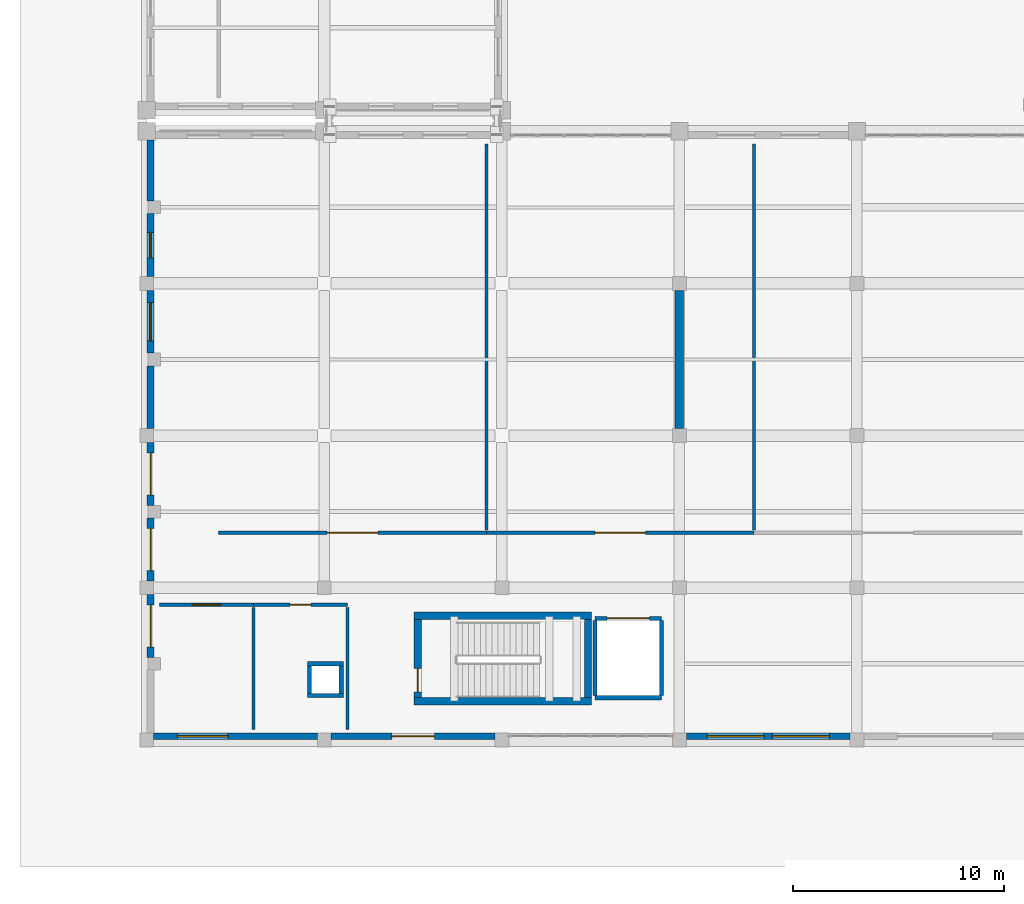
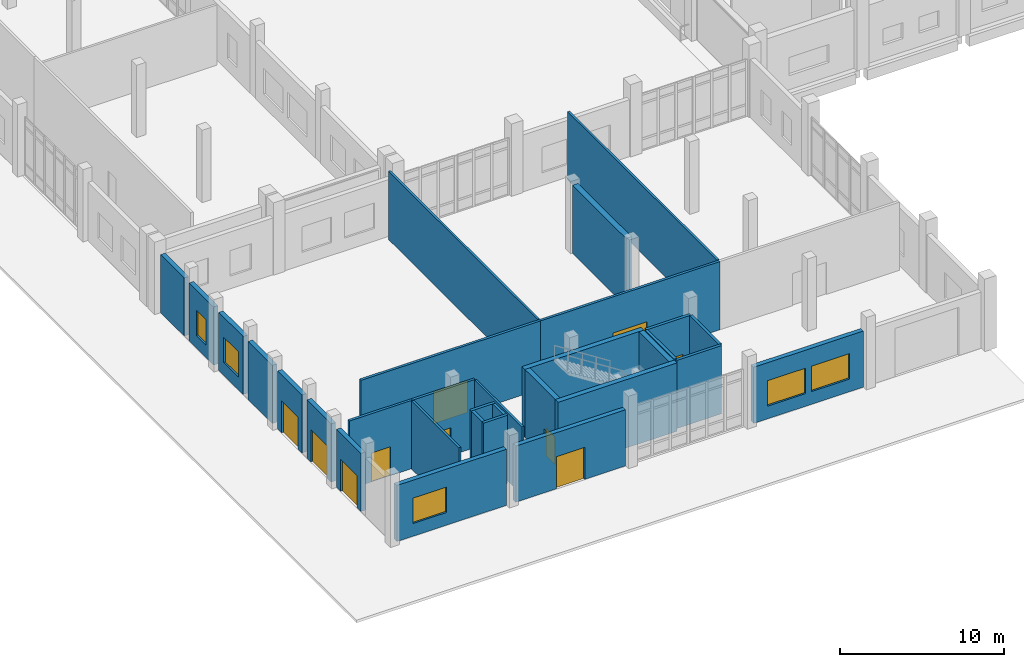
# One storey, part 50 of 79: 31 walls, 10 doors, 5 windows, 15 openings.
"""IFC4 building model written with IfcOpenShell, lengths in metres."""

from ifc_helpers import new_model, si_unit, direction, frame, frame_2d, origin, place, context, subcontext, project, spatial, rectangle, extrude, material, layer, layer_set, type_object, element, fill, save


model = new_model("IFC4")

# Units and contexts
model_context = context("Model", 3, precision=1e-05, world=origin(), true_north=direction((0.0, 1.0)))
body_context = subcontext(model_context, "Body", "Model", "MODEL_VIEW")
ifc_project = project(units=[si_unit("LENGTHUNIT", "METRE"), si_unit("AREAUNIT", "SQUARE_METRE"), si_unit("VOLUMEUNIT", "CUBIC_METRE"), si_unit("PLANEANGLEUNIT", "RADIAN"), si_unit("MASSUNIT", "GRAM", prefix="KILO")], contexts=[model_context])

# Site, building, storey
site_placement = place(None, origin())
site = spatial("IfcSite", under=ifc_project, at=site_placement, CompositionType="ELEMENT")
building_placement = place(site_placement, origin())
building = spatial("IfcBuilding", under=site, at=building_placement, Name="Kelarvand Opera House", CompositionType="ELEMENT")
storey_placement = place(building_placement, origin())
storey = spatial("IfcBuildingStorey", under=building, at=storey_placement, Name="L00", CompositionType="ELEMENT", Elevation=0.0)

# Walls
ifc_material_1 = material(Name="Acoustic double-stud gypsum partition")
ifc_layer_1 = layer(ifc_material_1, 0.14990234375, Name="Acoustic double-stud gypsum partition")
ifc_layer_set_1 = layer_set([ifc_layer_1], Name="Acoustic double-stud gypsum partition")
wall_type_1 = type_object("IfcWallType", Name="Acoustic Room Partition Wall 150", PredefinedType="PARTITIONING", material=ifc_layer_set_1)
for number, where, z_axis, x_axis, name in (
    (1, (25.06689453125, 18.93994140625, 0.0), (0.0, 0.0, 1.0), (0.0, 1.0, 0.0), "V4 L00 Partition Wall IW-150 (288)"),
    (2, (37.73291015625, 18.93994140625, 0.0), (0.0, 0.0, 1.0), (0.0, 1.0, 0.0), "V4 L00 Partition Wall IW-150 (290)"),
):
    element("IfcWall", number, at=place(storey_placement, frame(where, z_axis=z_axis, x_axis=x_axis)), inside=storey, type_object=wall_type_1, Name=name, PredefinedType="PARTITIONING", context=body_context, shape_type="SweptSolid", body=[
        extrude(rectangle(XDim=18.260009765625, YDim=0.14990234375, at=frame_2d((9.1298828125, 0.0))), origin(), (0.0, 0.0, 1.0), 5.092041015625),
    ])
for number, where, z_axis, x_axis, name in (
    (3, (14.050048828125, 9.5, 0.0), (0.0, 0.0, 1.0), (0.0, 1.0, 0.0), "V4 L00 Partition Wall IW-150 (293)"),
    (4, (18.5, 9.5, 0.0), (0.0, 0.0, 1.0), (0.0, 1.0, 0.0), "V4 L00 Partition Wall IW-150 (294)"),
):
    element("IfcWall", number, at=place(storey_placement, frame(where, z_axis=z_axis, x_axis=x_axis)), inside=storey, type_object=wall_type_1, Name=name, PredefinedType="PARTITIONING", context=body_context, shape_type="SweptSolid", body=[
        extrude(rectangle(XDim=5.760009765625, YDim=0.14990234375, at=frame_2d((2.8798828125, 0.0))), origin(), (0.0, 0.0, 1.0), 5.092041015625),
    ])
ifc_material_2 = material(Name="Concrete C40/50", Category="concrete")
ifc_layer_2 = layer(ifc_material_2, 0.35009765625, Name="Concrete C40/50", Category="concrete")
ifc_layer_set_2 = layer_set([ifc_layer_2], Name="Concrete C40/50")
wall_type_2 = type_object("IfcWallType", Name="Core Stair and Lift Shear Wall 350", PredefinedType="SHEAR", material=ifc_layer_set_2)
for number, where, z_axis, x_axis, name in (
    (5, (21.64990234375, 10.824951171875, 0.0), (0.0, 0.0, 1.0), (1.0, 0.0, 0.0), "C6 Stair Core Shear Wall S L00"),
    (6, (30.050048828125, 14.875, 0.0), (0.0, 0.0, 1.0), (-1.0, 0.0, 0.0), "C6 Stair Core Shear Wall N L00"),
):
    element("IfcWall", number, at=place(storey_placement, frame(where, z_axis=z_axis, x_axis=x_axis)), inside=storey, type_object=wall_type_2, Name=name, PredefinedType="SHEAR", context=body_context, shape_type="SweptSolid", body=[
        extrude(rectangle(XDim=8.400146484375, YDim=0.35009765625, at=frame_2d((4.2001953125, 0.0))), origin(), (0.0, 0.0, 1.0), 5.10009765625),
    ])

# Wall, opening, door
wall_1_placement = place(storey_placement, frame((21.824951171875, 11.0, 0.0), z_axis=(0.0, 0.0, 1.0), x_axis=(0.0, 1.0, 0.0)))
wall_1 = element("IfcWall", 7, at=wall_1_placement, inside=storey, type_object=wall_type_2, Name="C6 Stair Core Shear Wall W L00", PredefinedType="SHEAR", context=body_context, shape_type="SweptSolid", body=[
    extrude(rectangle(XDim=3.699951171875, YDim=0.35009765625, at=frame_2d((1.85009765625, 0.0))), origin(), (0.0, 0.0, 1.0), 5.10009765625),
])
opening_1_placement = place(wall_1_placement, frame((0.280029296875, 0.0, 0.0)))
opening_1 = element("IfcOpeningElement", 8, at=opening_1_placement, cuts=wall_1, Name="Opening FD-01", PredefinedType="OPENING", context=body_context, shape_type="SweptSolid", body=[
    extrude(rectangle(XDim=1.10009765625, YDim=2.080078125, at=frame_2d((0.550048828125, 1.0400390625))), frame((0.0, 0.18505859375, 0.0), z_axis=(0.0, -1.0, 0.0), x_axis=(1.0, 0.0, 0.0)), (0.0, 0.0, 1.0), 0.3701171875),
])
ifc_material_3 = material(Name="Fire-rated brushed stainless steel", Category="steel")
door_type_1 = type_object("IfcDoorType", Name="Steel Fire-Rated Stair and FF Lobby Door 1100x2080", OperationType="NOTDEFINED", PredefinedType="DOOR", material=ifc_material_3)
door_1_placement = place(opening_1_placement, origin())
door_1 = element("IfcDoor", 9, at=door_1_placement, inside=storey, type_object=door_type_1, Name="C6 Stair ST-06 Fire Door L00", OperationType="SINGLE_SWING_RIGHT", OverallHeight=2.080078125, OverallWidth=1.10009765625, PredefinedType="DOOR", context=body_context, shape_type="SweptSolid", body=[
    extrude(rectangle(XDim=1.10009765625, YDim=2.080078125, at=frame_2d((0.550048828125, 1.0400390625))), frame((0.0, 0.02490234375, 0.0), z_axis=(0.0, -1.0, 0.0), x_axis=(1.0, 0.0, 0.0)), (0.0, 0.0, 1.0), 0.050048828125),
])
fill(opening_1, door_1)

# Wall
wall_2_placement = place(storey_placement, frame((29.875, 14.699951171875, 0.0), z_axis=(0.0, 0.0, 1.0), x_axis=(0.0, -1.0, 0.0)))
element("IfcWall", 10, at=wall_2_placement, inside=storey, type_object=wall_type_2, Name="C6 Stair Core Shear Wall E L00", PredefinedType="SHEAR", context=body_context, shape_type="SweptSolid", body=[
    extrude(rectangle(XDim=3.699951171875, YDim=0.35009765625, at=frame_2d((1.85009765625, 0.0))), origin(), (0.0, 0.0, 1.0), 5.10009765625),
])

# Wall, opening, door
ifc_material_4 = material(Name="Concrete C35/45", Category="concrete")
ifc_layer_3 = layer(ifc_material_4, 0.179931640625, Name="Concrete C35/45", Category="concrete")
ifc_layer_set_3 = layer_set([ifc_layer_3], Name="Concrete C35/45")
wall_type_3 = type_object("IfcWallType", Name="Corridor Fire-Rated Partition Wall 180 EI90", PredefinedType="PARTITIONING", material=ifc_layer_set_3)
wall_3_placement = place(storey_placement, frame((12.39990234375, 18.800048828125, 0.0), z_axis=(0.0, 0.0, 1.0), x_axis=(1.0, 0.0, 0.0)))
wall_3 = element("IfcWall", 11, at=wall_3_placement, inside=storey, type_object=wall_type_3, Name="V4 L00 Partition Wall IW-90 (287)", PredefinedType="PARTITIONING", context=body_context, shape_type="SweptSolid", body=[
    extrude(rectangle(XDim=12.6669921875, YDim=0.179931640625, at=frame_2d((6.33349609375, 0.0))), origin(), (0.0, 0.0, 1.0), 5.092041015625),
])
opening_2_placement = place(wall_3_placement, frame((5.133056640625, 0.0, 0.0)))
opening_2 = element("IfcOpeningElement", 12, at=opening_2_placement, cuts=wall_3, Name="Opening D-05", PredefinedType="OPENING", context=body_context, shape_type="SweptSolid", body=[
    extrude(rectangle(XDim=2.39990234375, YDim=2.39990234375, at=frame_2d((1.199951171875, 1.199951171875))), frame((0.0, 0.10009765625, 0.0), z_axis=(0.0, -1.0, 0.0), x_axis=(1.0, 0.0, 0.0)), (0.0, 0.0, 1.0), 0.199951171875),
])
ifc_material_5 = material(Name="Acoustic walnut-veneered hardwood", Category="wood")
door_type_2 = type_object("IfcDoorType", Name="Stage Acoustic Scenery Double Door 2400x2400", OperationType="NOTDEFINED", PredefinedType="DOOR", material=ifc_material_5)
door_2_placement = place(opening_2_placement, origin())
door_2 = element("IfcDoor", 13, at=door_2_placement, inside=storey, type_object=door_type_2, Name="V4 L00 Door D-05 (124)", OperationType="DOUBLE_DOOR_SINGLE_SWING", OverallHeight=2.39990234375, OverallWidth=2.39990234375, PredefinedType="DOOR", context=body_context, shape_type="SweptSolid", body=[
    extrude(rectangle(XDim=2.39990234375, YDim=2.39990234375, at=frame_2d((1.199951171875, 1.199951171875))), frame((0.0, 0.02490234375, 0.0), z_axis=(0.0, -1.0, 0.0), x_axis=(1.0, 0.0, 0.0)), (0.0, 0.0, 1.0), 0.050048828125),
])
fill(opening_2, door_2)

wall_4_placement = place(storey_placement, frame((25.06689453125, 18.800048828125, 0.0), z_axis=(0.0, 0.0, 1.0), x_axis=(1.0, 0.0, 0.0)))
wall_4 = element("IfcWall", 14, at=wall_4_placement, inside=storey, type_object=wall_type_3, Name="V4 L00 Partition Wall IW-90 (289)", PredefinedType="PARTITIONING", context=body_context, shape_type="SweptSolid", body=[
    extrude(rectangle(XDim=12.666015625, YDim=0.179931640625, at=frame_2d((6.3330078125, 0.0))), origin(), (0.0, 0.0, 1.0), 5.092041015625),
])
opening_3_placement = place(wall_4_placement, frame((5.133056640625, 0.0, 0.0)))
opening_3 = element("IfcOpeningElement", 15, at=opening_3_placement, cuts=wall_4, Name="Opening D-05", PredefinedType="OPENING", context=body_context, shape_type="SweptSolid", body=[
    extrude(rectangle(XDim=2.39990234375, YDim=2.39990234375, at=frame_2d((1.199951171875, 1.199951171875))), frame((0.0, 0.10009765625, 0.0), z_axis=(0.0, -1.0, 0.0), x_axis=(1.0, 0.0, 0.0)), (0.0, 0.0, 1.0), 0.199951171875),
])
door_3_placement = place(opening_3_placement, origin())
door_3 = element("IfcDoor", 16, at=door_3_placement, inside=storey, type_object=door_type_2, Name="V4 L00 Door D-05 (125)", OperationType="DOUBLE_DOOR_SINGLE_SWING", OverallHeight=2.39990234375, OverallWidth=2.39990234375, PredefinedType="DOOR", context=body_context, shape_type="SweptSolid", body=[
    extrude(rectangle(XDim=2.39990234375, YDim=2.39990234375, at=frame_2d((1.199951171875, 1.199951171875))), frame((0.0, 0.02490234375, 0.0), z_axis=(0.0, -1.0, 0.0), x_axis=(1.0, 0.0, 0.0)), (0.0, 0.0, 1.0), 0.050048828125),
])
fill(opening_3, door_3)

wall_5_placement = place(storey_placement, frame((9.60009765625, 15.39990234375, 0.0), z_axis=(0.0, 0.0, 1.0), x_axis=(1.0, 0.0, 0.0)))
wall_5 = element("IfcWall", 17, at=wall_5_placement, inside=storey, type_object=wall_type_3, Name="V4 L00 Partition Wall IW-90 (292)", PredefinedType="PARTITIONING", context=body_context, shape_type="SweptSolid", body=[
    extrude(rectangle(XDim=4.449951171875, YDim=0.179931640625, at=frame_2d((2.22509765625, 0.0))), origin(), (0.0, 0.0, 1.0), 5.092041015625),
])
opening_4_placement = place(wall_5_placement, frame((1.550048828125, 0.0, 0.0)))
opening_4 = element("IfcOpeningElement", 18, at=opening_4_placement, cuts=wall_5, Name="Opening D-12", PredefinedType="OPENING", context=body_context, shape_type="SweptSolid", body=[
    extrude(rectangle(XDim=1.35009765625, YDim=2.159912109375, at=frame_2d((0.675048828125, 1.080078125))), frame((0.0, 0.10009765625, 0.0), z_axis=(0.0, -1.0, 0.0), x_axis=(1.0, 0.0, 0.0)), (0.0, 0.0, 1.0), 0.199951171875),
])
door_type_3 = type_object("IfcDoorType", Name="Wardrobe Studio Leaf-and-Half Door 1350x2160", OperationType="NOTDEFINED", PredefinedType="DOOR", material=ifc_material_5)
door_4_placement = place(opening_4_placement, origin())
door_4 = element("IfcDoor", 19, at=door_4_placement, inside=storey, type_object=door_type_3, Name="V4 L00 Door D-12 (127)", OperationType="SINGLE_SWING_RIGHT", OverallHeight=2.159912109375, OverallWidth=1.35009765625, PredefinedType="DOOR", context=body_context, shape_type="SweptSolid", body=[
    extrude(rectangle(XDim=1.35009765625, YDim=2.159912109375, at=frame_2d((0.675048828125, 1.080078125))), frame((0.0, 0.02490234375, 0.0), z_axis=(0.0, -1.0, 0.0), x_axis=(1.0, 0.0, 0.0)), (0.0, 0.0, 1.0), 0.050048828125),
])
fill(opening_4, door_4)

wall_6_placement = place(storey_placement, frame((14.050048828125, 15.39990234375, 0.0), z_axis=(0.0, 0.0, 1.0), x_axis=(1.0, 0.0, 0.0)))
wall_6 = element("IfcWall", 20, at=wall_6_placement, inside=storey, type_object=wall_type_3, Name="V4 L00 Partition Wall IW-90 (295)", PredefinedType="PARTITIONING", context=body_context, shape_type="SweptSolid", body=[
    extrude(rectangle(XDim=4.449951171875, YDim=0.179931640625, at=frame_2d((2.22509765625, 0.0))), origin(), (0.0, 0.0, 1.0), 5.092041015625),
])
opening_5_placement = place(wall_6_placement, frame((1.735107421875, 0.0, 0.0)))
opening_5 = element("IfcOpeningElement", 21, at=opening_5_placement, cuts=wall_6, Name="Opening D-09", PredefinedType="OPENING", context=body_context, shape_type="SweptSolid", body=[
    extrude(rectangle(XDim=0.97998046875, YDim=2.080078125, at=frame_2d((0.489990234375, 1.0400390625))), frame((0.0, 0.10009765625, 0.0), z_axis=(0.0, -1.0, 0.0), x_axis=(1.0, 0.0, 0.0)), (0.0, 0.0, 1.0), 0.199951171875),
])
door_type_4 = type_object("IfcDoorType", Name="Soloist Acoustic Timber Door 980x2080", OperationType="NOTDEFINED", PredefinedType="DOOR", material=ifc_material_5)
door_5_placement = place(opening_5_placement, origin())
door_5 = element("IfcDoor", 22, at=door_5_placement, inside=storey, type_object=door_type_4, Name="V4 L00 Door D-09 (128)", OperationType="SINGLE_SWING_LEFT", OverallHeight=2.080078125, OverallWidth=0.97998046875, PredefinedType="DOOR", context=body_context, shape_type="SweptSolid", body=[
    extrude(rectangle(XDim=0.97998046875, YDim=2.080078125, at=frame_2d((0.489990234375, 1.0400390625))), frame((0.0, 0.02490234375, 0.0), z_axis=(0.0, -1.0, 0.0), x_axis=(1.0, 0.0, 0.0)), (0.0, 0.0, 1.0), 0.050048828125),
])
fill(opening_5, door_5)

ifc_layer_4 = layer(ifc_material_4, 0.320068359375, Name="Concrete C35/45", Category="concrete")
ifc_layer_set_4 = layer_set([ifc_layer_4], Name="Concrete C35/45")
wall_type_4 = type_object("IfcWallType", Name="Insulated Buff Brick Cavity Wall 320", PredefinedType="SOLIDWALL", material=ifc_layer_set_4)
wall_7_placement = place(storey_placement, frame((9.179931640625, 12.89990234375, 0.0), z_axis=(0.0, 0.0, 1.0), x_axis=(0.0, 1.0, 0.0)))
wall_7 = element("IfcWall", 23, at=wall_7_placement, inside=storey, type_object=wall_type_4, Name="V4 L00 Exterior Wall EW-320 (503)", PredefinedType="SOLIDWALL", context=body_context, shape_type="SweptSolid", body=[
    extrude(rectangle(XDim=2.97509765625, YDim=0.320068359375, at=frame_2d((1.487548828125, 0.0))), origin(), (0.0, 0.0, 1.0), 4.342041015625),
])
opening_6_placement = place(wall_7_placement, frame((0.487060546875, 0.0, 0.0)))
opening_6 = element("IfcOpeningElement", 24, at=opening_6_placement, cuts=wall_7, Name="Opening EX-200", PredefinedType="OPENING", context=body_context, shape_type="SweptSolid", body=[
    extrude(rectangle(XDim=2.0, YDim=2.39990234375, at=frame_2d((1.0, 1.199951171875))), frame((0.0, 0.169921875, 0.0), z_axis=(0.0, -1.0, 0.0), x_axis=(1.0, 0.0, 0.0)), (0.0, 0.0, 1.0), 0.340087890625),
])
ifc_material_6 = material(Name="Thermally broken bronze-anodised aluminium and safety glass", Category="aluminium")
door_type_5 = type_object("IfcDoorType", Name="Protected Stair Double Final Exit Door 2000x2400", OperationType="NOTDEFINED", PredefinedType="DOOR", material=ifc_material_6)
door_6_placement = place(opening_6_placement, origin())
door_6 = element("IfcDoor", 25, at=door_6_placement, inside=storey, type_object=door_type_5, Name="V4 Ground Final Exit Door E14", OperationType="DOUBLE_DOOR_SINGLE_SWING", OverallHeight=2.39990234375, OverallWidth=2.0, PredefinedType="DOOR", context=body_context, shape_type="SweptSolid", body=[
    extrude(rectangle(XDim=2.0, YDim=2.39990234375, at=frame_2d((1.0, 1.199951171875))), frame((0.0, 0.02490234375, 0.0), z_axis=(0.0, -1.0, 0.0), x_axis=(1.0, 0.0, 0.0)), (0.0, 0.0, 1.0), 0.050048828125),
])
fill(opening_6, door_6)

wall_8_placement = place(storey_placement, frame((9.179931640625, 16.52490234375, 0.0), z_axis=(0.0, 0.0, 1.0), x_axis=(0.0, 1.0, 0.0)))
wall_8 = element("IfcWall", 26, at=wall_8_placement, inside=storey, type_object=wall_type_4, Name="V4 L00 Exterior Wall EW-320 (504)", PredefinedType="SOLIDWALL", context=body_context, shape_type="SweptSolid", body=[
    extrude(rectangle(XDim=2.97509765625, YDim=0.320068359375, at=frame_2d((1.487548828125, 0.0))), origin(), (0.0, 0.0, 1.0), 4.342041015625),
])
opening_7_placement = place(wall_8_placement, frame((0.488037109375, 0.0, 0.0)))
opening_7 = element("IfcOpeningElement", 27, at=opening_7_placement, cuts=wall_8, Name="Opening EX-200", PredefinedType="OPENING", context=body_context, shape_type="SweptSolid", body=[
    extrude(rectangle(XDim=2.0, YDim=2.39990234375, at=frame_2d((1.0, 1.199951171875))), frame((0.0, 0.169921875, 0.0), z_axis=(0.0, -1.0, 0.0), x_axis=(1.0, 0.0, 0.0)), (0.0, 0.0, 1.0), 0.340087890625),
])
door_7_placement = place(opening_7_placement, origin())
door_7 = element("IfcDoor", 28, at=door_7_placement, inside=storey, type_object=door_type_5, Name="V4 Ground Final Exit Door E12", OperationType="DOUBLE_DOOR_SINGLE_SWING", OverallHeight=2.39990234375, OverallWidth=2.0, PredefinedType="DOOR", context=body_context, shape_type="SweptSolid", body=[
    extrude(rectangle(XDim=2.0, YDim=2.39990234375, at=frame_2d((1.0, 1.199951171875))), frame((0.0, 0.02490234375, 0.0), z_axis=(0.0, -1.0, 0.0), x_axis=(1.0, 0.0, 0.0)), (0.0, 0.0, 1.0), 0.050048828125),
])
fill(opening_7, door_7)

wall_9_placement = place(storey_placement, frame((9.179931640625, 20.10009765625, 0.0), z_axis=(0.0, 0.0, 1.0), x_axis=(0.0, 1.0, 0.0)))
wall_9 = element("IfcWall", 29, at=wall_9_placement, inside=storey, type_object=wall_type_4, Name="V4 L00 Exterior Wall EW-320 (505)", PredefinedType="SOLIDWALL", context=body_context, shape_type="SweptSolid", body=[
    extrude(rectangle(XDim=2.974853515625, YDim=0.320068359375, at=frame_2d((1.4873046875, 0.0))), origin(), (0.0, 0.0, 1.0), 4.342041015625),
])
opening_8_placement = place(wall_9_placement, frame((0.487060546875, 0.0, 0.0)))
opening_8 = element("IfcOpeningElement", 30, at=opening_8_placement, cuts=wall_9, Name="Opening EX-200", PredefinedType="OPENING", context=body_context, shape_type="SweptSolid", body=[
    extrude(rectangle(XDim=2.0, YDim=2.39990234375, at=frame_2d((1.0, 1.199951171875))), frame((0.0, 0.169921875, 0.0), z_axis=(0.0, -1.0, 0.0), x_axis=(1.0, 0.0, 0.0)), (0.0, 0.0, 1.0), 0.340087890625),
])
door_8_placement = place(opening_8_placement, origin())
door_8 = element("IfcDoor", 31, at=door_8_placement, inside=storey, type_object=door_type_5, Name="V4 Ground Final Exit Door E16", OperationType="DOUBLE_DOOR_SINGLE_SWING", OverallHeight=2.39990234375, OverallWidth=2.0, PredefinedType="DOOR", context=body_context, shape_type="SweptSolid", body=[
    extrude(rectangle(XDim=2.0, YDim=2.39990234375, at=frame_2d((1.0, 1.199951171875))), frame((0.0, 0.02490234375, 0.0), z_axis=(0.0, -1.0, 0.0), x_axis=(1.0, 0.0, 0.0)), (0.0, 0.0, 1.0), 0.050048828125),
])
fill(opening_8, door_8)

# Wall
wall_10_placement = place(storey_placement, frame((9.179931640625, 23.72509765625, 0.0), z_axis=(0.0, 0.0, 1.0), x_axis=(0.0, 1.0, 0.0)))
element("IfcWall", 32, at=wall_10_placement, inside=storey, type_object=wall_type_4, Name="V4 L00 Exterior Wall EW-320 (506)", PredefinedType="SOLIDWALL", context=body_context, shape_type="SweptSolid", body=[
    extrude(rectangle(XDim=2.974853515625, YDim=0.320068359375, at=frame_2d((1.4873046875, 0.0))), origin(), (0.0, 0.0, 1.0), 4.342041015625),
])

# Wall, opening, window
wall_11_placement = place(storey_placement, frame((9.179931640625, 27.300048828125, 0.0), z_axis=(0.0, 0.0, 1.0), x_axis=(0.0, 1.0, 0.0)))
wall_11 = element("IfcWall", 33, at=wall_11_placement, inside=storey, type_object=wall_type_4, Name="V4 L00 Exterior Wall EW-320 (507)", PredefinedType="SOLIDWALL", context=body_context, shape_type="SweptSolid", body=[
    extrude(rectangle(XDim=2.974853515625, YDim=0.320068359375, at=frame_2d((1.4873046875, 0.0))), origin(), (0.0, 0.0, 1.0), 4.342041015625),
])
opening_9_placement = place(wall_11_placement, frame((0.5869140625, 0.0, 0.949951171875)))
opening_9 = element("IfcOpeningElement", 34, at=opening_9_placement, cuts=wall_11, Name="Opening WN-12", PredefinedType="OPENING", context=body_context, shape_type="SweptSolid", body=[
    extrude(rectangle(XDim=1.800048828125, YDim=1.89990234375, at=frame_2d((0.89990234375, 0.949951171875))), frame((0.0, 0.169921875, 0.0), z_axis=(0.0, -1.0, 0.0), x_axis=(1.0, 0.0, 0.0)), (0.0, 0.0, 1.0), 0.340087890625),
])
ifc_material_7 = material(Name="Thermally broken aluminium and low-E double glazing", Category="aluminium")
window_type_1 = type_object("IfcWindowType", Name="Recessed Aluminium Thermal Window 1800x1900 WN-12", PartitioningType="SINGLE_PANEL", PredefinedType="WINDOW", material=ifc_material_7)
window_1_placement = place(opening_9_placement, origin())
window_1 = element("IfcWindow", 35, at=window_1_placement, inside=storey, type_object=window_type_1, Name="V4 L00 Facade Window WN-12 (203)", OverallHeight=1.89990234375, OverallWidth=1.800048828125, PartitioningType="SINGLE_PANEL", PredefinedType="WINDOW", context=body_context, shape_type="SweptSolid", body=[
    extrude(rectangle(XDim=1.800048828125, YDim=1.89990234375, at=frame_2d((0.89990234375, 0.949951171875))), frame((0.0, 0.030029296875, 0.0), z_axis=(0.0, -1.0, 0.0), x_axis=(1.0, 0.0, 0.0)), (0.0, 0.0, 1.0), 0.06005859375),
])
fill(opening_9, window_1)

wall_12_placement = place(storey_placement, frame((9.179931640625, 30.925048828125, 0.0), z_axis=(0.0, 0.0, 1.0), x_axis=(0.0, 1.0, 0.0)))
wall_12 = element("IfcWall", 36, at=wall_12_placement, inside=storey, type_object=wall_type_4, Name="V4 L00 Exterior Wall EW-320 (508)", PredefinedType="SOLIDWALL", context=body_context, shape_type="SweptSolid", body=[
    extrude(rectangle(XDim=2.974853515625, YDim=0.320068359375, at=frame_2d((1.4873046875, 0.0))), origin(), (0.0, 0.0, 1.0), 4.342041015625),
])
opening_10_placement = place(wall_12_placement, frame((0.886962890625, 0.0, 0.949951171875)))
opening_10 = element("IfcOpeningElement", 37, at=opening_10_placement, cuts=wall_12, Name="Opening WN-10", PredefinedType="OPENING", context=body_context, shape_type="SweptSolid", body=[
    extrude(rectangle(XDim=1.199951171875, YDim=1.89990234375, at=frame_2d((0.60009765625, 0.949951171875))), frame((0.0, 0.169921875, 0.0), z_axis=(0.0, -1.0, 0.0), x_axis=(1.0, 0.0, 0.0)), (0.0, 0.0, 1.0), 0.340087890625),
])
window_type_2 = type_object("IfcWindowType", Name="Recessed Aluminium Thermal Window 1200x1900 WN-10", PartitioningType="SINGLE_PANEL", PredefinedType="WINDOW", material=ifc_material_7)
window_2_placement = place(opening_10_placement, origin())
window_2 = element("IfcWindow", 38, at=window_2_placement, inside=storey, type_object=window_type_2, Name="V4 L00 Facade Window WN-10 (204)", OverallHeight=1.89990234375, OverallWidth=1.199951171875, PartitioningType="SINGLE_PANEL", PredefinedType="WINDOW", context=body_context, shape_type="SweptSolid", body=[
    extrude(rectangle(XDim=1.199951171875, YDim=1.89990234375, at=frame_2d((0.60009765625, 0.949951171875))), frame((0.0, 0.030029296875, 0.0), z_axis=(0.0, -1.0, 0.0), x_axis=(1.0, 0.0, 0.0)), (0.0, 0.0, 1.0), 0.06005859375),
])
fill(opening_10, window_2)

# Wall
wall_13_placement = place(storey_placement, frame((9.179931640625, 34.5, 0.0), z_axis=(0.0, 0.0, 1.0), x_axis=(0.0, 1.0, 0.0)))
element("IfcWall", 39, at=wall_13_placement, inside=storey, type_object=wall_type_4, Name="V4 L00 Exterior Wall EW-320 (509)", PredefinedType="SOLIDWALL", context=body_context, shape_type="SweptSolid", body=[
    extrude(rectangle(XDim=2.889892578125, YDim=0.320068359375, at=frame_2d((1.44482421875, 0.0))), origin(), (0.0, 0.0, 1.0), 4.342041015625),
])

# Wall, openings, windows
wall_14_placement = place(storey_placement, frame((42.27490234375, 9.179931640625, 0.0), z_axis=(0.0, 0.0, 1.0), x_axis=(-1.0, 0.0, 0.0)))
wall_14 = element("IfcWall", 40, at=wall_14_placement, inside=storey, type_object=wall_type_4, Name="V4 L00 Exterior Wall EW-320 (517)", PredefinedType="SOLIDWALL", context=body_context, shape_type="SweptSolid", body=[
    extrude(rectangle(XDim=7.75, YDim=0.320068359375, at=frame_2d((3.875, 0.0))), origin(), (0.0, 0.0, 1.0), 4.19189453125),
])
opening_11_placement = place(wall_14_placement, frame((0.97509765625, 0.0, 0.949951171875)))
opening_11 = element("IfcOpeningElement", 41, at=opening_11_placement, cuts=wall_14, Name="Opening WN-15", PredefinedType="OPENING", context=body_context, shape_type="SweptSolid", body=[
    extrude(rectangle(XDim=2.699951171875, YDim=1.89990234375, at=frame_2d((1.35009765625, 0.949951171875))), frame((0.0, 0.169921875, 0.0), z_axis=(0.0, -1.0, 0.0), x_axis=(1.0, 0.0, 0.0)), (0.0, 0.0, 1.0), 0.340087890625),
])
opening_12_placement = place(wall_14_placement, frame((4.074951171875, 0.0, 0.949951171875)))
opening_12 = element("IfcOpeningElement", 42, at=opening_12_placement, cuts=wall_14, Name="Opening WN-15", PredefinedType="OPENING", context=body_context, shape_type="SweptSolid", body=[
    extrude(rectangle(XDim=2.699951171875, YDim=1.89990234375, at=frame_2d((1.35009765625, 0.949951171875))), frame((0.0, 0.169921875, 0.0), z_axis=(0.0, -1.0, 0.0), x_axis=(1.0, 0.0, 0.0)), (0.0, 0.0, 1.0), 0.340087890625),
])
window_type_3 = type_object("IfcWindowType", Name="Recessed Aluminium Thermal Window 2700x1900 WN-15", PartitioningType="SINGLE_PANEL", PredefinedType="WINDOW", material=ifc_material_7)
window_3_placement = place(opening_11_placement, origin())
window_3 = element("IfcWindow", 43, at=window_3_placement, inside=storey, type_object=window_type_3, Name="V4 L00 Facade Window WN-15 (215)", OverallHeight=1.89990234375, OverallWidth=2.699951171875, PartitioningType="SINGLE_PANEL", PredefinedType="WINDOW", context=body_context, shape_type="SweptSolid", body=[
    extrude(rectangle(XDim=2.699951171875, YDim=1.89990234375, at=frame_2d((1.35009765625, 0.949951171875))), frame((0.0, 0.030029296875, 0.0), z_axis=(0.0, -1.0, 0.0), x_axis=(1.0, 0.0, 0.0)), (0.0, 0.0, 1.0), 0.06005859375),
])
fill(opening_11, window_3)
window_4_placement = place(opening_12_placement, origin())
window_4 = element("IfcWindow", 44, at=window_4_placement, inside=storey, type_object=window_type_3, Name="V4 L00 Facade Window WN-15 (216)", OverallHeight=1.89990234375, OverallWidth=2.699951171875, PartitioningType="SINGLE_PANEL", PredefinedType="WINDOW", context=body_context, shape_type="SweptSolid", body=[
    extrude(rectangle(XDim=2.699951171875, YDim=1.89990234375, at=frame_2d((1.35009765625, 0.949951171875))), frame((0.0, 0.030029296875, 0.0), z_axis=(0.0, -1.0, 0.0), x_axis=(1.0, 0.0, 0.0)), (0.0, 0.0, 1.0), 0.06005859375),
])
fill(opening_12, window_4)

# Wall, opening, door
wall_15_placement = place(storey_placement, frame((25.47509765625, 9.179931640625, 0.0), z_axis=(0.0, 0.0, 1.0), x_axis=(-1.0, 0.0, 0.0)))
wall_15 = element("IfcWall", 45, at=wall_15_placement, inside=storey, type_object=wall_type_4, Name="V4 L00 Exterior Wall EW-320 (518)", PredefinedType="SOLIDWALL", context=body_context, shape_type="SweptSolid", body=[
    extrude(rectangle(XDim=7.75, YDim=0.320068359375, at=frame_2d((3.875, 0.0))), origin(), (0.0, 0.0, 1.0), 4.19189453125),
])
opening_13_placement = place(wall_15_placement, frame((2.875, 0.0, 0.0)))
opening_13 = element("IfcOpeningElement", 46, at=opening_13_placement, cuts=wall_15, Name="Opening EX-200", PredefinedType="OPENING", context=body_context, shape_type="SweptSolid", body=[
    extrude(rectangle(XDim=2.0, YDim=2.39990234375, at=frame_2d((1.0, 1.199951171875))), frame((0.0, 0.169921875, 0.0), z_axis=(0.0, -1.0, 0.0), x_axis=(1.0, 0.0, 0.0)), (0.0, 0.0, 1.0), 0.340087890625),
])
door_9_placement = place(opening_13_placement, origin())
door_9 = element("IfcDoor", 47, at=door_9_placement, inside=storey, type_object=door_type_5, Name="V4 Ground Final Exit Door E13", OperationType="DOUBLE_DOOR_SINGLE_SWING", OverallHeight=2.39990234375, OverallWidth=2.0, PredefinedType="DOOR", context=body_context, shape_type="SweptSolid", body=[
    extrude(rectangle(XDim=2.0, YDim=2.39990234375, at=frame_2d((1.0, 1.199951171875))), frame((0.0, 0.02490234375, 0.0), z_axis=(0.0, -1.0, 0.0), x_axis=(1.0, 0.0, 0.0)), (0.0, 0.0, 1.0), 0.050048828125),
])
fill(opening_13, door_9)

# Wall, opening, window
wall_16_placement = place(storey_placement, frame((17.074951171875, 9.179931640625, 0.0), z_axis=(0.0, 0.0, 1.0), x_axis=(-1.0, 0.0, 0.0)))
wall_16 = element("IfcWall", 48, at=wall_16_placement, inside=storey, type_object=wall_type_4, Name="V4 L00 Exterior Wall EW-320 (519)", PredefinedType="SOLIDWALL", context=body_context, shape_type="SweptSolid", body=[
    extrude(rectangle(XDim=7.75, YDim=0.320068359375, at=frame_2d((3.875, 0.0))), origin(), (0.0, 0.0, 1.0), 4.19189453125),
])
opening_14_placement = place(wall_16_placement, frame((4.22509765625, 0.0, 0.949951171875)))
opening_14 = element("IfcOpeningElement", 49, at=opening_14_placement, cuts=wall_16, Name="Opening WN-14", PredefinedType="OPENING", context=body_context, shape_type="SweptSolid", body=[
    extrude(rectangle(XDim=2.39990234375, YDim=1.89990234375, at=frame_2d((1.199951171875, 0.949951171875))), frame((0.0, 0.169921875, 0.0), z_axis=(0.0, -1.0, 0.0), x_axis=(1.0, 0.0, 0.0)), (0.0, 0.0, 1.0), 0.340087890625),
])
window_type_4 = type_object("IfcWindowType", Name="Recessed Aluminium Thermal Window 2400x1900 WN-14", PartitioningType="SINGLE_PANEL", PredefinedType="WINDOW", material=ifc_material_7)
window_5_placement = place(opening_14_placement, origin())
window_5 = element("IfcWindow", 50, at=window_5_placement, inside=storey, type_object=window_type_4, Name="V4 L00 Facade Window WN-14 (217)", OverallHeight=1.89990234375, OverallWidth=2.39990234375, PartitioningType="SINGLE_PANEL", PredefinedType="WINDOW", context=body_context, shape_type="SweptSolid", body=[
    extrude(rectangle(XDim=2.39990234375, YDim=1.89990234375, at=frame_2d((1.199951171875, 0.949951171875))), frame((0.0, 0.030029296875, 0.0), z_axis=(0.0, -1.0, 0.0), x_axis=(1.0, 0.0, 0.0)), (0.0, 0.0, 1.0), 0.06005859375),
])
fill(opening_14, window_5)

# Walls
ifc_layer_5 = layer(ifc_material_4, 0.199951171875, Name="Concrete C35/45", Category="concrete")
ifc_layer_set_5 = layer_set([ifc_layer_5], Name="Concrete C35/45")
wall_type_5 = type_object("IfcWallType", Name="Lift and Riser Shaft Enclosure Wall 200 EI120", PredefinedType="PARTITIONING", material=ifc_layer_set_5)
for number, where, z_axis, x_axis, name in (
    (51, (16.60009765625, 11.10009765625, 0.0), (0.0, 0.0, 1.0), (1.0, 0.0, 0.0), "RSR-V4 L00 Riser Shaft Wall 105"),
    (52, (18.300048828125, 12.60009765625, 0.0), (0.0, 0.0, 1.0), (-1.0, 0.0, 0.0), "RSR-V4 L00 Riser Shaft Wall 106"),
):
    element("IfcWall", number, at=place(storey_placement, frame(where, z_axis=z_axis, x_axis=x_axis)), inside=storey, type_object=wall_type_5, Name=name, PredefinedType="PARTITIONING", context=body_context, shape_type="SweptSolid", body=[
        extrude(rectangle(XDim=1.699951171875, YDim=0.199951171875, at=frame_2d((0.85009765625, 0.0))), origin(), (0.0, 0.0, 1.0), 5.10009765625),
    ])
for number, where, z_axis, x_axis, name in (
    (53, (16.699951171875, 11.199951171875, 0.0), (0.0, 0.0, 1.0), (0.0, 1.0, 0.0), "RSR-V4 L00 Riser Shaft Wall 107"),
    (54, (18.199951171875, 12.5, 0.0), (0.0, 0.0, 1.0), (0.0, -1.0, 0.0), "RSR-V4 L00 Riser Shaft Wall 108"),
):
    element("IfcWall", number, at=place(storey_placement, frame(where, z_axis=z_axis, x_axis=x_axis)), inside=storey, type_object=wall_type_5, Name=name, PredefinedType="PARTITIONING", context=body_context, shape_type="SweptSolid", body=[
        extrude(rectangle(XDim=1.300048828125, YDim=0.199951171875, at=frame_2d((0.64990234375, 0.0))), origin(), (0.0, 0.0, 1.0), 5.10009765625),
    ])
wall_17_placement = place(storey_placement, frame((30.199951171875, 11.0, 0.0), z_axis=(0.0, 0.0, 1.0), x_axis=(1.0, 0.0, 0.0)))
element("IfcWall", 55, at=wall_17_placement, inside=storey, type_object=wall_type_5, Name="V4 L00 Partition Wall SW-200 (232)", PredefinedType="PARTITIONING", context=body_context, shape_type="SweptSolid", body=[
    extrude(rectangle(XDim=3.150146484375, YDim=0.199951171875, at=frame_2d((1.5751953125, 0.0))), origin(), (0.0, 0.0, 1.0), 5.092041015625),
])

# Wall, opening, door
wall_18_placement = place(storey_placement, frame((33.35009765625, 14.75, 0.0), z_axis=(0.0, 0.0, 1.0), x_axis=(-1.0, 0.0, 0.0)))
wall_18 = element("IfcWall", 56, at=wall_18_placement, inside=storey, type_object=wall_type_5, Name="V4 L00 Partition Wall SW-200 (233)", PredefinedType="PARTITIONING", context=body_context, shape_type="SweptSolid", body=[
    extrude(rectangle(XDim=3.150146484375, YDim=0.199951171875, at=frame_2d((1.5751953125, 0.0))), origin(), (0.0, 0.0, 1.0), 5.092041015625),
])
opening_15_placement = place(wall_18_placement, frame((0.574951171875, 0.0, 0.0)))
opening_15 = element("IfcOpeningElement", 57, at=opening_15_placement, cuts=wall_18, Name="Opening LD-03", PredefinedType="OPENING", context=body_context, shape_type="SweptSolid", body=[
    extrude(rectangle(XDim=2.0, YDim=2.35009765625, at=frame_2d((1.0, 1.175048828125))), frame((0.0, 0.10986328125, 0.0), z_axis=(0.0, -1.0, 0.0), x_axis=(1.0, 0.0, 0.0)), (0.0, 0.0, 1.0), 0.219970703125),
])
door_type_6 = type_object("IfcDoorType", Name="Scenery Goods Lift Sliding Landing Door 2000x2350", OperationType="SLIDING_TO_LEFT", PredefinedType="DOOR", material=ifc_material_3)
door_10_placement = place(opening_15_placement, origin())
door_10 = element("IfcDoor", 58, at=door_10_placement, inside=storey, type_object=door_type_6, Name="V4 L00 Door LD-03 (99)", OperationType="SLIDING_TO_LEFT", OverallHeight=2.35009765625, OverallWidth=2.0, PredefinedType="DOOR", context=body_context, shape_type="SweptSolid", body=[
    extrude(rectangle(XDim=2.0, YDim=2.35009765625, at=frame_2d((1.0, 1.175048828125))), frame((0.0, 0.02490234375, 0.0), z_axis=(0.0, -1.0, 0.0), x_axis=(1.0, 0.0, 0.0)), (0.0, 0.0, 1.0), 0.050048828125),
])
fill(opening_15, door_10)

# Walls
for number, where, z_axis, x_axis, name in (
    (59, (30.199951171875, 11.10009765625, 0.0), (0.0, 0.0, 1.0), (0.0, 1.0, 0.0), "V4 L00 Partition Wall SW-200 (234)"),
    (60, (33.35009765625, 14.64990234375, 0.0), (0.0, 0.0, 1.0), (0.0, -1.0, 0.0), "V4 L00 Partition Wall SW-200 (235)"),
):
    element("IfcWall", number, at=place(storey_placement, frame(where, z_axis=z_axis, x_axis=x_axis)), inside=storey, type_object=wall_type_5, Name=name, PredefinedType="PARTITIONING", context=body_context, shape_type="SweptSolid", body=[
        extrude(rectangle(XDim=3.5498046875, YDim=0.199951171875, at=frame_2d((1.77490234375, 0.0))), origin(), (0.0, 0.0, 1.0), 5.092041015625),
    ])
ifc_layer_6 = layer(ifc_material_2, 0.39990234375, Name="Concrete C40/50", Category="concrete")
ifc_layer_set_6 = layer_set([ifc_layer_6], Name="Concrete C40/50")
wall_type_6 = type_object("IfcWallType", Name="Seismic Compartment Shear Wall 400", PredefinedType="SHEAR", material=ifc_layer_set_6)
wall_19_placement = place(storey_placement, frame((34.199951171875, 23.72509765625, 0.0), z_axis=(0.0, 0.0, 1.0), x_axis=(0.0, 1.0, 0.0)))
element("IfcWall", 61, at=wall_19_placement, inside=storey, type_object=wall_type_6, Name="V4 Shear Wall CW-120 L00", PredefinedType="SHEAR", context=body_context, shape_type="SweptSolid", body=[
    extrude(rectangle(XDim=6.5498046875, YDim=0.39990234375, at=frame_2d((3.27490234375, 0.0))), origin(), (0.0, 0.0, 1.0), 5.080078125),
])

save(model, "model.ifc")
